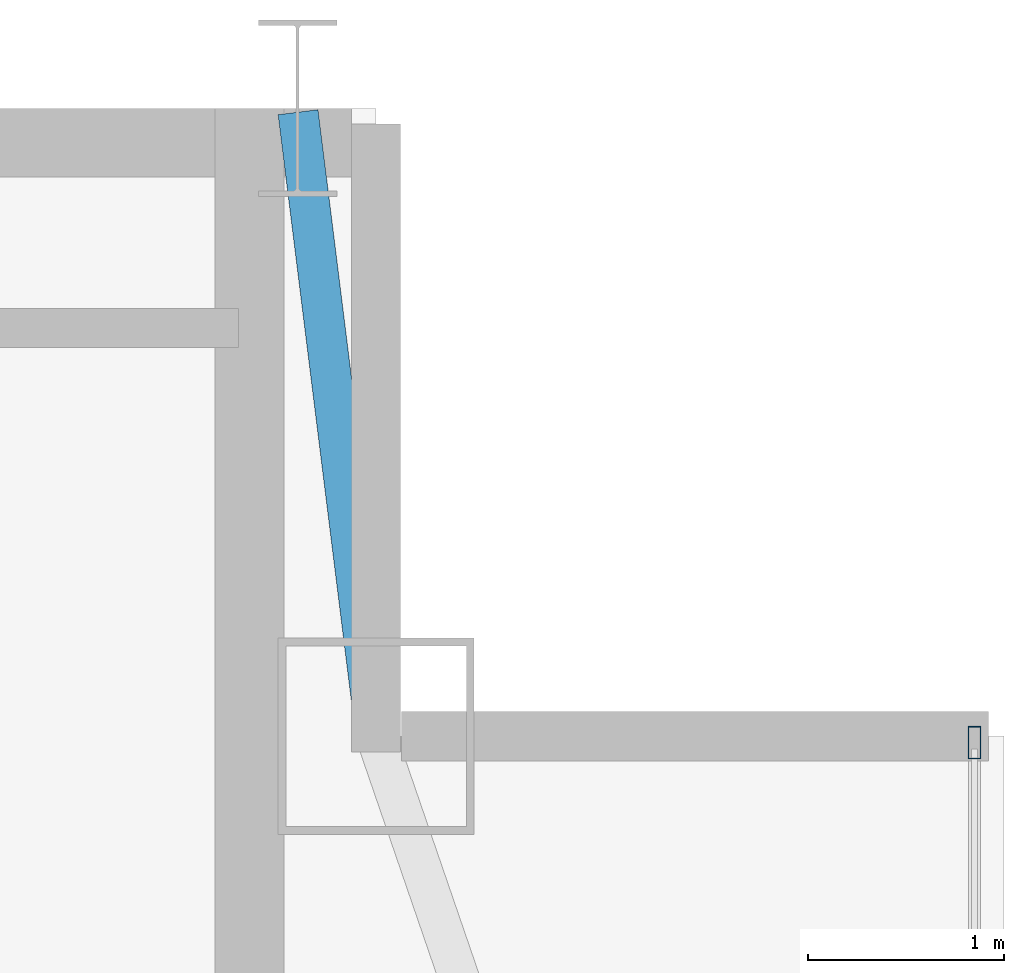
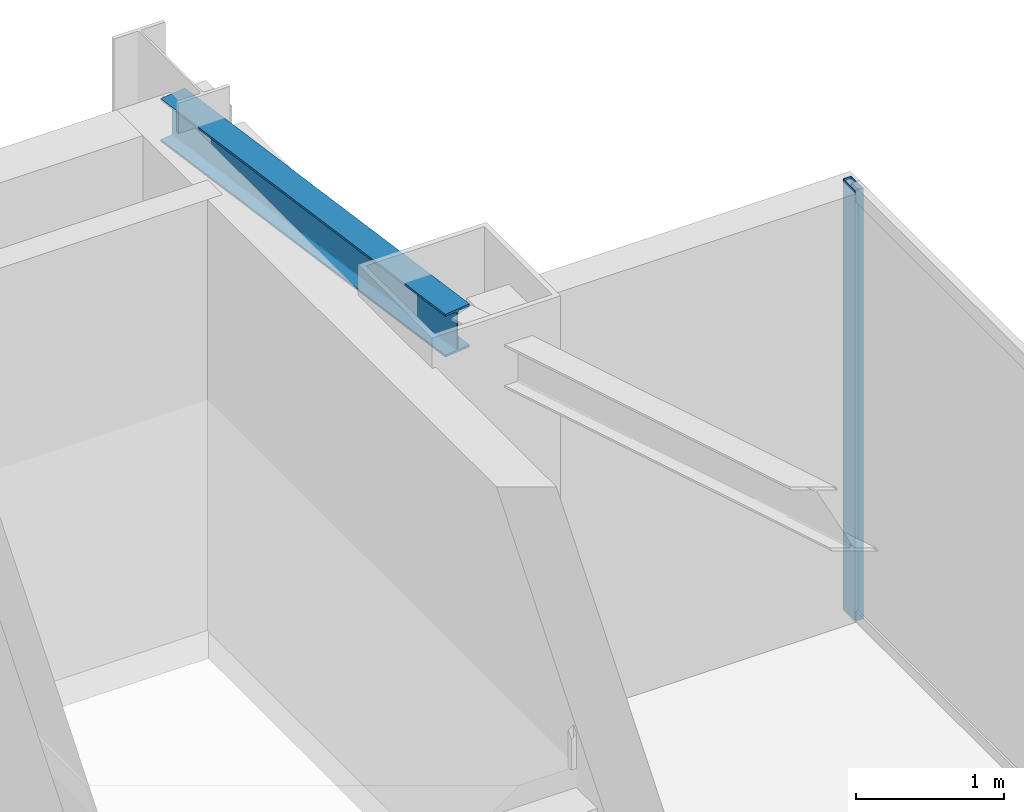
# One storey, part 16 of 23: 1 beam, 1 member, 1 element without a shape of its own.
"""IFC4 building model written with IfcOpenShell, lengths in metres."""

from ifc_helpers import new_model, si_unit, direction, frame, origin, origin_2d, place, context, subcontext, project, spatial, hollow_rectangle, i_section, extrude, source, transform, mapped, material, layer, layer_set, material_profile, profile_set, type_object, type_shapes, element, aggregate, save


model = new_model("IFC4")

# Units and contexts
model_context = context("Model", 3, precision=1e-05, world=origin(), true_north=direction((0.0, 1.0)))
body_context = subcontext(model_context, "Body", "Model", "MODEL_VIEW")
ifc_project = project(units=[si_unit("LENGTHUNIT", "METRE"), si_unit("AREAUNIT", "SQUARE_METRE"), si_unit("VOLUMEUNIT", "CUBIC_METRE"), si_unit("PLANEANGLEUNIT", "RADIAN"), si_unit("MASSUNIT", "GRAM", prefix="KILO")], contexts=[model_context])

# Site, building, storey
site_placement = place(None, origin())
site = spatial("IfcSite", under=ifc_project, at=site_placement, CompositionType="ELEMENT")
building_placement = place(site_placement, origin())
building = spatial("IfcBuilding", under=site, at=building_placement, Name="Varnel Quay Broadcast Tower", CompositionType="ELEMENT")
storey_placement = place(building_placement, frame((0.0, 0.0, 266.0)))
storey = spatial("IfcBuildingStorey", under=building, at=storey_placement, Name="L66", CompositionType="ELEMENT", Elevation=266.0)

# Beam
ifc_material_1 = material(Name="Structural Steel CSA G40.21 350W", Category="steel")
ifc_material_profile_1 = material_profile(ifc_material_1, i_section(OverallWidth=0.205078125, OverallDepth=0.35400390625, WebThickness=0.009521484375, FlangeThickness=0.016845703125, FilletRadius=0.012939453125, at=origin_2d()), Name="W360X79")
ifc_profile_set_1 = profile_set([ifc_material_profile_1], Name="Structural Steel CSA G40.21 350W")
beam_type = type_object("IfcBeamType", Name="Beam_W360X79", PredefinedType="SPANDREL", material=ifc_profile_set_1)
shared_shape_1 = source(origin(), body_context, "Body", "SweptSolid", [
    extrude(i_section(OverallWidth=0.205078125, OverallDepth=0.35400390625, WebThickness=0.009521484375, FlangeThickness=0.016845703125, FilletRadius=0.012939453125, at=origin_2d()), origin(), (0.0, 0.0, 1.0), 3.18505859375),
])
type_shapes(beam_type, [shared_shape_1])
beam_placement = place(storey_placement, frame((52.402587890625, 46.7802734375, 3.373046875), z_axis=(0.124025300311, -0.992279055953, 0.0), x_axis=(0.992279055953, 0.124025300311, 0.0)))
element("IfcBeam", 1, at=beam_placement, inside=storey, type_object=beam_type, Name="L66 NE Tie Spandrel", PredefinedType="SPANDREL", context=body_context, shape_type="MappedRepresentation", body=[
    mapped(shared_shape_1, transform((0.0, 0.0, 0.0), x_axis=(1.0, 0.0, 0.0), y_axis=(0.0, 1.0, 0.0), z_axis=(0.0, 0.0, 1.0), scale=1.0)),
])

# Curtain wall, member
ifc_material_2 = material(Name="Anodised Bronze Aluminium 6063-T6", Category="aluminium")
ifc_layer = layer(ifc_material_2, 0.18994140625, Name="Anodised Bronze Aluminium 6063-T6")
ifc_layer_set = layer_set([ifc_layer], Name="Anodised Bronze Aluminium 6063-T6")
curtain_wall_type = type_object("IfcCurtainWallType", Name="CW_UpperTower", PredefinedType="NOTDEFINED", material=ifc_layer_set)
curtain_wall_placement = place(storey_placement, origin())
curtain_wall = element("IfcCurtainWall", 2, at=curtain_wall_placement, inside=storey, type_object=curtain_wall_type, Name="L66 East Unitised Curtain Wall", PredefinedType="NOTDEFINED")
ifc_material_profile_2 = material_profile(ifc_material_2, hollow_rectangle(XDim=0.06494140625, YDim=0.1650390625, WallThickness=0.00341796875, at=origin_2d()), Name="ALU65X165X3.5")
ifc_profile_set_2 = profile_set([ifc_material_profile_2], Name="Anodised Bronze Aluminium 6063-T6")
member_type = type_object("IfcMemberType", Name="Mull_CWS-03", PredefinedType="MULLION", material=ifc_profile_set_2)
shared_shape_2 = source(origin(), body_context, "Body", "SweptSolid", [
    extrude(hollow_rectangle(XDim=0.06494140625, YDim=0.1650390625, WallThickness=0.00341796875, at=origin_2d()), origin(), (0.0, 0.0, 1.0), 3.550048828125),
])
type_shapes(member_type, [shared_shape_2])
member_placement = place(storey_placement, frame((55.85009765625, 43.5673828125, 0.0), z_axis=(0.0, 0.0, 1.0), x_axis=(-1.0, 0.0, 0.0)))
member = element("IfcMember", 3, at=member_placement, type_object=member_type, Name="CWS-03 mullion 3", PredefinedType="MULLION", context=body_context, shape_type="MappedRepresentation", body=[
    mapped(shared_shape_2, transform((0.0, 0.0, 0.0), x_axis=(1.0, 0.0, 0.0), y_axis=(0.0, 1.0, 0.0), z_axis=(0.0, 0.0, 1.0), scale=1.0)),
])
aggregate(curtain_wall, [member])

save(model, "model.ifc")
